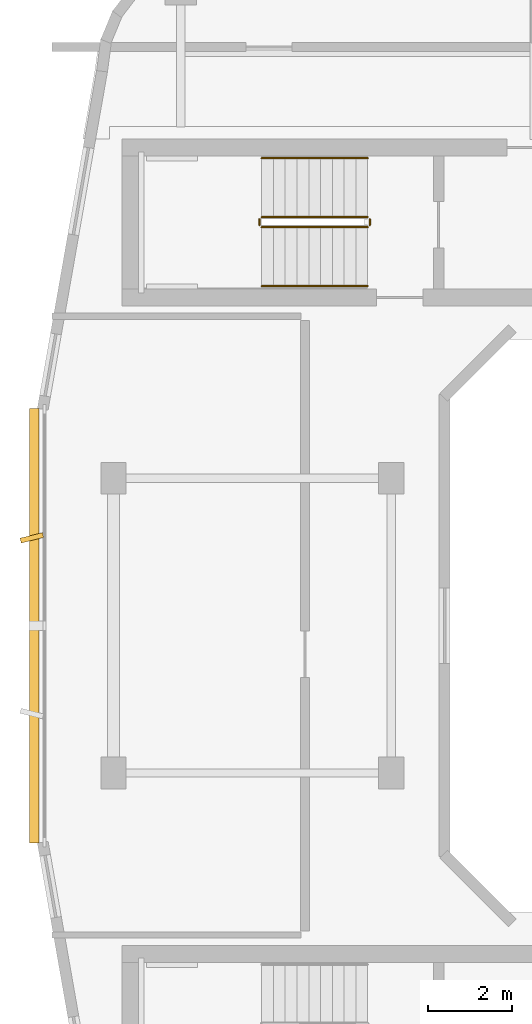
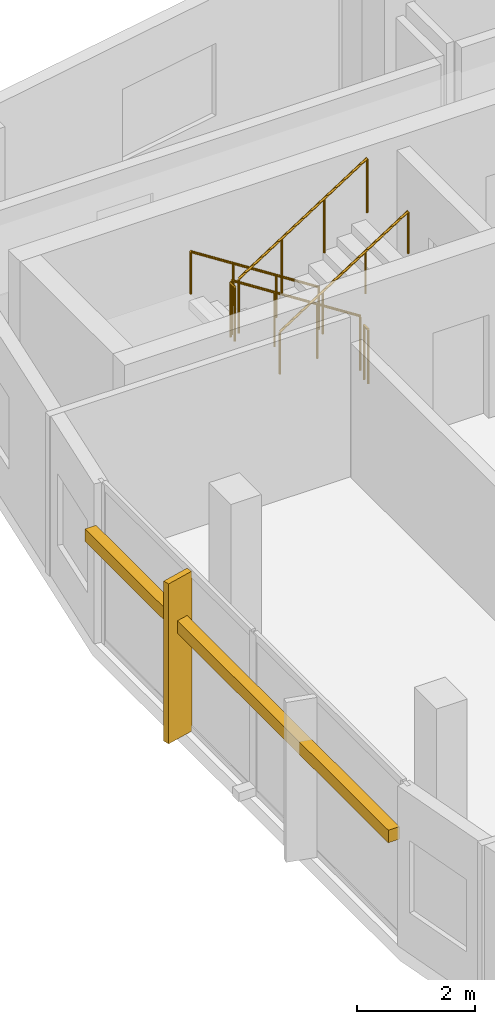
# One storey, part 7 of 8: 6 railings, 2 shading devices.
"""IFC4 building model written with IfcOpenShell, lengths in metres."""

from ifc_helpers import new_model, si_unit, derived_unit, direction, frame, origin, origin_2d, place, context, subcontext, project, spatial, rectangle, circle, extrude, material, type_object, element, save


model = new_model("IFC4")

# Units and contexts
model_context = context("Model", 3, precision=1e-05, world=origin(), true_north=direction((0.0, 1.0)))
body_context = subcontext(model_context, "Body", "Model", "MODEL_VIEW")
ifc_project = project(units=[si_unit("LENGTHUNIT", "METRE"), si_unit("AREAUNIT", "SQUARE_METRE"), si_unit("VOLUMEUNIT", "CUBIC_METRE"), si_unit("PLANEANGLEUNIT", "RADIAN"), si_unit("MASSUNIT", "GRAM", prefix="KILO"), derived_unit("THERMALTRANSMITTANCEUNIT", [(si_unit("POWERUNIT", "WATT"), 1), (si_unit("LENGTHUNIT", "METRE"), -2), (si_unit("THERMODYNAMICTEMPERATUREUNIT", "KELVIN"), -1)])], contexts=[model_context])

# Site, building, storey
site_placement = place(None, origin())
site = spatial("IfcSite", under=ifc_project, at=site_placement, CompositionType="ELEMENT")
building_placement = place(site_placement, origin())
building = spatial("IfcBuilding", under=site, at=building_placement, Name="Kivonza Crest Hotel", CompositionType="ELEMENT")
storey_placement = place(building_placement, frame((0.0, 0.0, 268.39990234375)))
storey = spatial("IfcBuildingStorey", under=building, at=storey_placement, Name="L73", CompositionType="ELEMENT", Elevation=268.39990234375)

# Railings
ifc_material_1 = material(Name="Brushed stainless steel handrail", Category="steel")
railing_type_1 = type_object("IfcRailingType", Name="RL-HAND-900", PredefinedType="HANDRAIL", material=ifc_material_1)
railing_1_placement = place(storey_placement, frame((12.239990234375, 36.110107421875, 0.18017578125)))
element("IfcRailing", 1, at=railing_1_placement, inside=storey, type_object=railing_type_1, Name="L73 ST-T1-N stair handrail 1", PredefinedType="HANDRAIL", context=body_context, shape_type="SweptSolid", body=[
    extrude(circle(Radius=0.02392578125, at=origin_2d()), frame((0.0, 0.0, 0.8759765625), z_axis=(-0.841199657755, 0.0, 0.540724639528), x_axis=(0.0, -1.0, 0.0)), (0.0, 0.0, 1.0), 2.995849609375),
    extrude(circle(Radius=0.02099609375, at=origin_2d()), origin(), (0.0, 0.0, 1.0), 0.851806640625),
    extrude(circle(Radius=0.02099609375, at=origin_2d()), frame((-0.840087890625, 0.0, 0.5400390625)), (0.0, 0.0, 1.0), 0.851806640625),
    extrude(circle(Radius=0.02099609375, at=origin_2d()), frame((-1.679931640625, 0.0, 1.079833984375)), (0.0, 0.0, 1.0), 0.851806640625),
    extrude(circle(Radius=0.02099609375, at=origin_2d()), frame((-2.52001953125, 0.0, 1.619873046875)), (0.0, 0.0, 1.0), 0.851806640625),
])
railing_2_placement = place(storey_placement, frame((9.719970703125, 33.070068359375, 1.97998046875)))
element("IfcRailing", 2, at=railing_2_placement, inside=storey, type_object=railing_type_1, Name="L73 ST-T1-N stair handrail 2", PredefinedType="HANDRAIL", context=body_context, shape_type="SweptSolid", body=[
    extrude(circle(Radius=0.02392578125, at=origin_2d()), frame((0.0, 0.0, 0.8759765625), z_axis=(0.841162588446, 0.0, 0.540782303519), x_axis=(0.0, 1.0, 0.0)), (0.0, 0.0, 1.0), 2.995849609375),
    extrude(circle(Radius=0.02099609375, at=origin_2d()), origin(), (0.0, 0.0, 1.0), 0.851806640625),
    extrude(circle(Radius=0.02099609375, at=origin_2d()), frame((0.840087890625, 0.0, 0.5400390625)), (0.0, 0.0, 1.0), 0.851806640625),
    extrude(circle(Radius=0.02099609375, at=origin_2d()), frame((1.679931640625, 0.0, 1.080078125)), (0.0, 0.0, 1.0), 0.851806640625),
    extrude(circle(Radius=0.02099609375, at=origin_2d()), frame((2.52001953125, 0.0, 1.6201171875)), (0.0, 0.0, 1.0), 0.851806640625),
])
ifc_material_2 = material(Name="Painted steel balustrade", Category="steel")
railing_type_2 = type_object("IfcRailingType", Name="RL-STAIR-1150", PredefinedType="BALUSTRADE", material=ifc_material_2)
railing_3_placement = place(storey_placement, frame((12.239990234375, 34.7099609375, 0.18017578125)))
element("IfcRailing", 3, at=railing_3_placement, inside=storey, type_object=railing_type_2, Name="L73 ST-T1-N stair guard 1", PredefinedType="BALUSTRADE", context=body_context, shape_type="SweptSolid", body=[
    extrude(circle(Radius=0.02392578125, at=origin_2d()), frame((0.0, 0.0, 1.1259765625), z_axis=(-0.841199657755, 0.0, 0.540724639528), x_axis=(0.0, -1.0, 0.0)), (0.0, 0.0, 1.0), 2.995849609375),
    extrude(circle(Radius=0.02099609375, at=origin_2d()), origin(), (0.0, 0.0, 1.0), 1.101806640625),
    extrude(circle(Radius=0.02099609375, at=origin_2d()), frame((-0.840087890625, 0.0, 0.5400390625)), (0.0, 0.0, 1.0), 1.101806640625),
    extrude(circle(Radius=0.02099609375, at=origin_2d()), frame((-1.679931640625, 0.0, 1.079833984375)), (0.0, 0.0, 1.0), 1.101806640625),
    extrude(circle(Radius=0.02099609375, at=origin_2d()), frame((-2.52001953125, 0.0, 1.619873046875)), (0.0, 0.0, 1.0), 1.101806640625),
])
railing_4_placement = place(storey_placement, frame((9.669921875, 34.659912109375, 1.800048828125)))
element("IfcRailing", 4, at=railing_4_placement, inside=storey, type_object=railing_type_2, Name="L73 ST-T1-N stair guard 2", PredefinedType="BALUSTRADE", context=body_context, shape_type="SweptSolid", body=[
    extrude(circle(Radius=0.02392578125, at=origin_2d()), frame((0.0, 0.0, 1.1259765625), z_axis=(0.0, -1.0, 0.0), x_axis=(1.0, 0.0, 0.0)), (0.0, 0.0, 1.0), 0.139892578125),
    extrude(circle(Radius=0.02099609375, at=origin_2d()), origin(), (0.0, 0.0, 1.0), 1.101806640625),
    extrude(circle(Radius=0.02099609375, at=origin_2d()), frame((0.0, -0.139892578125, 0.0)), (0.0, 0.0, 1.0), 1.101806640625),
])
railing_5_placement = place(storey_placement, frame((9.719970703125, 34.469970703125, 1.97998046875)))
element("IfcRailing", 5, at=railing_5_placement, inside=storey, type_object=railing_type_2, Name="L73 ST-T1-N stair guard 3", PredefinedType="BALUSTRADE", context=body_context, shape_type="SweptSolid", body=[
    extrude(circle(Radius=0.02392578125, at=origin_2d()), frame((0.0, 0.0, 1.1259765625), z_axis=(0.841162588446, 0.0, 0.540782303519), x_axis=(0.0, 1.0, 0.0)), (0.0, 0.0, 1.0), 2.995849609375),
    extrude(circle(Radius=0.02099609375, at=origin_2d()), origin(), (0.0, 0.0, 1.0), 1.101806640625),
    extrude(circle(Radius=0.02099609375, at=origin_2d()), frame((0.840087890625, 0.0, 0.5400390625)), (0.0, 0.0, 1.0), 1.101806640625),
    extrude(circle(Radius=0.02099609375, at=origin_2d()), frame((1.679931640625, 0.0, 1.080078125)), (0.0, 0.0, 1.0), 1.101806640625),
    extrude(circle(Radius=0.02099609375, at=origin_2d()), frame((2.52001953125, 0.0, 1.6201171875)), (0.0, 0.0, 1.0), 1.101806640625),
])
railing_6_placement = place(storey_placement, frame((12.2900390625, 34.659912109375, 0.0)))
element("IfcRailing", 6, at=railing_6_placement, inside=storey, type_object=railing_type_2, Name="L73 ST-T1-N stair guard 4", PredefinedType="BALUSTRADE", context=body_context, shape_type="SweptSolid", body=[
    extrude(circle(Radius=0.02392578125, at=origin_2d()), frame((0.0, 0.0, 1.1259765625), z_axis=(0.0, -1.0, 0.0), x_axis=(1.0, 0.0, 0.0)), (0.0, 0.0, 1.0), 0.139892578125),
    extrude(circle(Radius=0.02099609375, at=origin_2d()), origin(), (0.0, 0.0, 1.0), 1.101806640625),
    extrude(circle(Radius=0.02099609375, at=origin_2d()), frame((0.0, -0.139892578125, 0.0)), (0.0, 0.0, 1.0), 1.101806640625),
])

# Shading devices
ifc_material_3 = material(Name="Kiln-fired Nairobi red-ochre terracotta", Category="masonry")
shading_device_type_1 = type_object("IfcShadingDeviceType", Name="SH-BAGUETTE-300", PredefinedType="USERDEFINED", material=ifc_material_3)
shading_device_1_placement = place(storey_placement, frame((4.320068359375, 25.0, 2.1943359375), z_axis=(0.0, 0.0, 1.0), x_axis=(0.0, -1.0, 0.0)))
element("IfcShadingDevice", 7, at=shading_device_1_placement, inside=storey, type_object=shading_device_type_1, Name="L73 terracotta baguette screen CW-T1-L73-35", ObjectType="BAGUETTE", PredefinedType="USERDEFINED", context=body_context, shape_type="SweptSolid", body=[
    extrude(rectangle(XDim=10.320068359375, YDim=0.219970703125, at=origin_2d()), origin(), (0.0, 0.0, 1.0), 0.260009765625),
])
ifc_material_4 = material(Name="Kiln-fired terracotta over extruded aluminium spine", Category="masonry")
shading_device_type_2 = type_object("IfcShadingDeviceType", Name="SH-FIN-550", PredefinedType="USERDEFINED", material=ifc_material_4)
shading_device_2_placement = place(storey_placement, frame((4.260009765625, 27.087890625, 0.0), z_axis=(0.0, 0.0, 1.0), x_axis=(0.2419218956, -0.970295726276, 0.0)))
element("IfcShadingDevice", 8, at=shading_device_2_placement, inside=storey, type_object=shading_device_type_2, Name="L73 vertical solar shading fin CW-T1-L73-35-1", ObjectType="FIN", PredefinedType="USERDEFINED", context=body_context, shape_type="SweptSolid", body=[
    extrude(rectangle(XDim=0.1201171875, YDim=0.550048828125, at=origin_2d()), origin(), (0.0, 0.0, 1.0), 3.320068359375),
])

save(model, "model.ifc")
